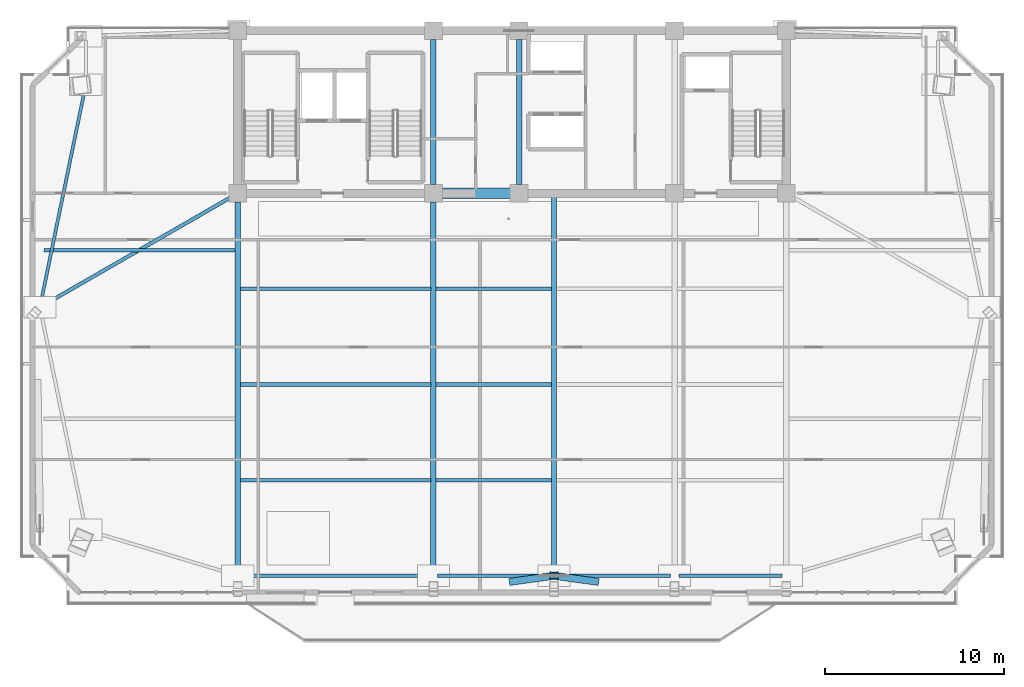
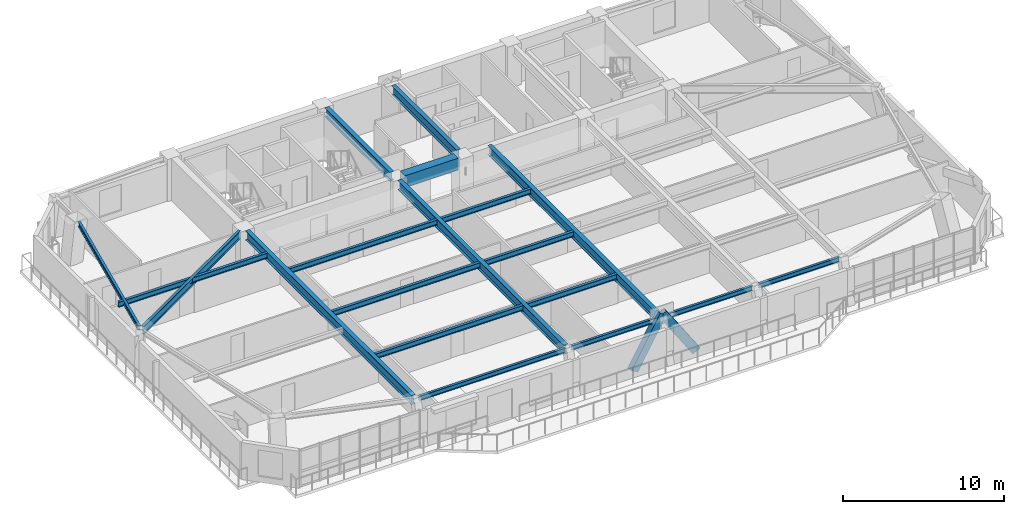
# One storey, part 3 of 16: 19 beams, 2 members.
"""IFC4 building model written with IfcOpenShell, lengths in metres."""

import ifcopenshell
import ifcopenshell.guid

model = None  # the IFC model being written
_history = None  # IfcOwnerHistory: only IFC2X3 demands one
_inside = {}  # id of a spatial element -> (the spatial element, [elements in it])
_under = {}  # id of a project, library or spatial element -> (it, [spatial elements below it])
_declared = {}  # id of a project -> (the project, [libraries it declares])
_typed = {}  # id of a type object -> (the type object, [elements of that type])
_made_of = {}  # id of a material, layer set ... -> (it, [elements and type objects made of it])


def new_model(schema):
    """Start an empty IFC model of exactly this schema.

    Asked for "IFC4X3", IfcOpenShell would pick the latest addendum, in which some entities
    have other attributes; the version numbers below select the first issue.
    IFC2X3 requires an IfcOwnerHistory on every rooted entity: one is made here for all.
    """
    global model, _history
    if schema == "IFC4X3":
        model = ifcopenshell.file(schema_version=(4, 3, 0, 0))
    else:
        model = ifcopenshell.file(schema=schema)
    _inside.clear()
    _under.clear()
    _declared.clear()
    _typed.clear()
    _made_of.clear()
    _history = None
    if model.schema == "IFC2X3":
        org = make("IfcOrganization", Name="unknown")
        user = make(
            "IfcPersonAndOrganization",
            ThePerson=make("IfcPerson", FamilyName="unknown"),
            TheOrganization=org,
        )
        app = make(
            "IfcApplication",
            ApplicationDeveloper=org,
            Version="unknown",
            ApplicationFullName="unknown",
            ApplicationIdentifier="unknown",
        )
        _history = make(
            "IfcOwnerHistory",
            OwningUser=user,
            OwningApplication=app,
            ChangeAction="ADDED",
            CreationDate=0,
        )
    return model


def make(cls, **values):
    """One entity of the class cls with the attributes given. An attribute that is None is left unset."""
    return model.create_entity(
        cls, **{name: value for name, value in values.items() if value is not None}
    )


def rooted(cls, **values):
    """An entity with a GlobalId (a new one), such as an element, a storey or a relation."""
    return make(cls, GlobalId=ifcopenshell.guid.new(), OwnerHistory=_history, **values)


def si_unit(unit_type, name, prefix=None):
    """IfcSIUnit, for example si_unit("LENGTHUNIT", "METRE", prefix="MILLI")."""
    return make("IfcSIUnit", UnitType=unit_type, Prefix=prefix, Name=name)


def assignment(units):
    """IfcUnitAssignment: the units of a project."""
    return None if units is None else make("IfcUnitAssignment", Units=units)


def point(xyz):
    """IfcCartesianPoint."""
    return None if xyz is None else make("IfcCartesianPoint", Coordinates=xyz)


def direction(xyz):
    """IfcDirection."""
    return None if xyz is None else make("IfcDirection", DirectionRatios=xyz)


def frame(location, z_axis=None, x_axis=None):
    """IfcAxis2Placement3D, a coordinate frame: its origin and axes. An axis left out is left unset."""
    return make(
        "IfcAxis2Placement3D",
        Location=point(location),
        Axis=direction(z_axis),
        RefDirection=direction(x_axis),
    )


def frame_2d(location, x_axis=None):
    """IfcAxis2Placement2D, a coordinate frame in the plane: its origin and x axis."""
    return make(
        "IfcAxis2Placement2D", Location=point(location), RefDirection=direction(x_axis)
    )


def origin():
    """The frame at (0, 0, 0) with its axes left unset."""
    return frame((0.0, 0.0, 0.0))


def origin_2d():
    """The frame at (0, 0) in the plane with its x axis left unset."""
    return frame_2d((0.0, 0.0))


def place(relative_to, where):
    """IfcLocalPlacement: puts the frame where relative to a parent placement (None: the world)."""
    return make(
        "IfcLocalPlacement", PlacementRelTo=relative_to, RelativePlacement=where
    )


def context(
    kind, dimensions, precision=None, world=None, true_north=None, identifier=None
):
    """IfcGeometricRepresentationContext, for example the 3D "Model" context."""
    return make(
        "IfcGeometricRepresentationContext",
        ContextIdentifier=identifier,
        ContextType=kind,
        CoordinateSpaceDimension=dimensions,
        Precision=precision,
        WorldCoordinateSystem=world,
        TrueNorth=true_north,
    )


def subcontext(parent, identifier, kind, view, scale=None):
    """IfcGeometricRepresentationSubContext, for example "Body" below "Model"."""
    return make(
        "IfcGeometricRepresentationSubContext",
        ContextIdentifier=identifier,
        ContextType=kind,
        ParentContext=parent,
        TargetScale=scale,
        TargetView=view,
    )


def project(units=None, contexts=None):
    """IfcProject with its units and contexts."""
    return rooted(
        "IfcProject",
        Name="project",
        RepresentationContexts=contexts,
        UnitsInContext=assignment(units),
    )


def spatial(cls, under=None, at=None, **own):
    """A site, building, storey or space (cls), placed at a placement, below another one or the project."""
    s = rooted(cls, ObjectPlacement=at, **own)
    if under is not None:
        _under.setdefault(under.id(), (under, []))[1].append(s)
    return s


def profile(cls, at=None, kind="AREA", **sizes):
    """A parametric profile (cls). Its sizes go by their IFC names, for example OverallWidth=200.0."""
    return make(cls, ProfileType=kind, Position=at, **sizes)


def rectangle(**sizes):
    """IfcRectangleProfileDef."""
    return profile("IfcRectangleProfileDef", **sizes)


def hollow_rectangle(**sizes):
    """IfcRectangleHollowProfileDef."""
    return profile("IfcRectangleHollowProfileDef", **sizes)


def i_section(**sizes):
    """IfcIShapeProfileDef."""
    return profile("IfcIShapeProfileDef", **sizes)


def extrude(swept, where, along, depth):
    """IfcExtrudedAreaSolid: the profile swept, set in the frame where, extruded along a direction by depth."""
    return make(
        "IfcExtrudedAreaSolid",
        SweptArea=swept,
        Position=where,
        ExtrudedDirection=direction(along),
        Depth=depth,
    )


def shape(context_of_items, identifier, shape_type, items):
    """IfcShapeRepresentation: the items that make up one representation, for example the "Body"."""
    return make(
        "IfcShapeRepresentation",
        ContextOfItems=context_of_items,
        RepresentationIdentifier=identifier,
        RepresentationType=shape_type,
        Items=items,
    )


def source(mapping_origin, context_of_items, identifier, shape_type, items):
    """IfcRepresentationMap: a shape defined once, which mapped items show again and again."""
    return make(
        "IfcRepresentationMap",
        MappingOrigin=mapping_origin,
        MappedRepresentation=shape(context_of_items, identifier, shape_type, items),
    )


def transform(
    local_origin,
    x_axis=None,
    y_axis=None,
    z_axis=None,
    scale=None,
    scale2=None,
    scale3=None,
    uniform=True,
):
    """IfcCartesianTransformationOperator3D, or its non-uniform kind. x_axis, y_axis, z_axis: its Axis1, 2, 3."""
    if uniform:
        return make(
            "IfcCartesianTransformationOperator3D",
            Axis1=direction(x_axis),
            Axis2=direction(y_axis),
            LocalOrigin=point(local_origin),
            Scale=scale,
            Axis3=direction(z_axis),
        )
    return make(
        "IfcCartesianTransformationOperator3DnonUniform",
        Axis1=direction(x_axis),
        Axis2=direction(y_axis),
        LocalOrigin=point(local_origin),
        Scale=scale,
        Axis3=direction(z_axis),
        Scale2=scale2,
        Scale3=scale3,
    )


def mapped(mapping_source, mapping_target):
    """IfcMappedItem: shows the shape of a source again, moved by a transform."""
    return make(
        "IfcMappedItem", MappingSource=mapping_source, MappingTarget=mapping_target
    )


def material(Name=None, Category=None):
    """IfcMaterial."""
    return make("IfcMaterial", Name=Name, Category=Category)


def material_profile(
    of_material, cross_section, Name=None, Category=None, Priority=None
):
    """IfcMaterialProfile: a cross section and its material."""
    return make(
        "IfcMaterialProfile",
        Name=Name,
        Material=of_material,
        Profile=cross_section,
        Priority=Priority,
        Category=Category,
    )


def profile_set(profiles, Name=None, composite=None):
    """IfcMaterialProfileSet."""
    return make(
        "IfcMaterialProfileSet",
        Name=Name,
        MaterialProfiles=profiles,
        CompositeProfile=composite,
    )


def made_of(thing, what):
    """Note that an element or type object is made of a material, layer set ...; save() writes the relation."""
    if what is not None:
        _made_of.setdefault(what.id(), (what, []))[1].append(thing)
    return thing


def type_object(cls, material=None, **own):
    """A type object (cls), such as IfcWallType, which elements share."""
    return made_of(rooted(cls, **own), material)


def element(
    cls,
    number,
    at=None,
    inside=None,
    cuts=None,
    type_object=None,
    material=None,
    context=None,
    identifier="Body",
    shape_type=None,
    held_by="IfcProductDefinitionShape",
    body=None,
    shapes=None,
    **own,
):
    """One element of the class cls, such as IfcWall. Its Tag is "e" and its number.

    at: its placement. inside: the storey or other place that contains it. cuts: it is an
    opening in that element (IfcRelVoidsElement). A single representation is given by context,
    identifier, shape_type and body (its items); several are given by shapes. held_by: the class
    of the entity that holds the representations. save() writes the other relations.
    """
    e = rooted(cls, Tag="e%d" % number, ObjectPlacement=at, **own)
    if body is not None:
        shapes = [shape(context, identifier, shape_type, body)]
    if shapes is not None:
        e.Representation = make(held_by, Representations=shapes)
    if inside is not None:
        _inside.setdefault(inside.id(), (inside, []))[1].append(e)
    if cuts is not None:
        rooted(
            "IfcRelVoidsElement", RelatingBuildingElement=cuts, RelatedOpeningElement=e
        )
    if type_object is not None:
        _typed.setdefault(type_object.id(), (type_object, []))[1].append(e)
    return made_of(e, material)


def aggregate(whole, parts):
    """IfcRelAggregates: a whole, such as a stair, and the parts it consists of."""
    return rooted("IfcRelAggregates", RelatingObject=whole, RelatedObjects=parts)


def save(model, path):
    """Write the relations noted so far, then the file.

    IfcRelAggregates (storeys below a building ...), IfcRelContainedInSpatialStructure (elements
    in a storey), IfcRelDefinesByType, IfcRelAssociatesMaterial and IfcRelDeclares: one each for
    every whole, place, type object, material and project.
    """
    for whole, parts in _under.values():
        aggregate(whole, parts)
    for where, things in _inside.values():
        rooted(
            "IfcRelContainedInSpatialStructure",
            RelatedElements=things,
            RelatingStructure=where,
        )
    for kind, things in _typed.values():
        rooted("IfcRelDefinesByType", RelatedObjects=things, RelatingType=kind)
    for what, things in _made_of.values():
        rooted("IfcRelAssociatesMaterial", RelatedObjects=things, RelatingMaterial=what)
    for by, libraries in _declared.values():
        rooted("IfcRelDeclares", RelatingContext=by, RelatedDefinitions=libraries)
    model.write(path)


model = new_model("IFC4")

# Units and contexts
model_context = context("Model", 3, precision=1e-05, world=origin(), true_north=direction((0.0, 1.0)))
body_context = subcontext(model_context, "Body", "Model", "MODEL_VIEW")
ifc_project = project(units=[si_unit("LENGTHUNIT", "METRE"), si_unit("AREAUNIT", "SQUARE_METRE"), si_unit("VOLUMEUNIT", "CUBIC_METRE"), si_unit("PLANEANGLEUNIT", "RADIAN"), si_unit("MASSUNIT", "GRAM", prefix="KILO")], contexts=[model_context])

# Site, building, storey
site_placement = place(None, origin())
site = spatial("IfcSite", under=ifc_project, at=site_placement, CompositionType="ELEMENT")
building_placement = place(site_placement, origin())
building = spatial("IfcBuilding", under=site, at=building_placement, Name="Giltprow Tower", CompositionType="ELEMENT")
storey_placement = place(building_placement, frame((0.0, 0.0, 255.300048828125)))
storey = spatial("IfcBuildingStorey", under=building, at=storey_placement, Name="L65", CompositionType="ELEMENT", Elevation=255.300048828125)

# Beams
ifc_material_1 = material(Name="Concrete C50", Category="concrete")
ifc_material_profile_1 = material_profile(ifc_material_1, rectangle(XDim=0.60009765625, YDim=0.89990234375, at=origin_2d()), Name="RC 900x600")
ifc_profile_set_1 = profile_set([ifc_material_profile_1], Name="Concrete C50")
beam_type_1 = type_object("IfcBeamType", Name="BM-CPL-RC900", PredefinedType="LINTEL", material=ifc_profile_set_1)
shared_shape_1 = source(origin(), body_context, "Body", "SweptSolid", [
    extrude(rectangle(XDim=0.60009765625, YDim=0.89990234375, at=origin_2d()), origin(), (0.0, 0.0, 1.0), 3.830078125),
])
beam_1_placement = place(storey_placement, frame((31.284912109375, 37.449951171875, 2.73486328125), z_axis=(1.0, 0.0, 0.0), x_axis=(0.0, 1.0, 0.0)))
element("IfcBeam", 1, at=beam_1_placement, inside=storey, type_object=beam_type_1, Name="L65 Core Coupling Beam CB-1", PredefinedType="LINTEL", context=body_context, shape_type="MappedRepresentation", body=[
    mapped(shared_shape_1, transform((0.0, 0.0, 0.0), x_axis=(1.0, 0.0, 0.0), y_axis=(0.0, 1.0, 0.0), z_axis=(0.0, 0.0, 1.0), scale=1.0)),
])
ifc_material_2 = material(Name="Structural steel Q355B", Category="steel")
ifc_material_profile_2 = material_profile(ifc_material_2, i_section(OverallWidth=0.300048828125, OverallDepth=0.699951171875, WebThickness=0.012939453125, FlangeThickness=0.02392578125, at=origin_2d()), Name="HN 700x300x13x24")
ifc_profile_set_2 = profile_set([ifc_material_profile_2], Name="Structural steel Q355B")
beam_type_2 = type_object("IfcBeamType", Name="BM-GIRD-HN700", PredefinedType="BEAM", material=ifc_profile_set_2)
shared_shape_2 = source(origin(), body_context, "Body", "SweptSolid", [
    extrude(i_section(OverallWidth=0.300048828125, OverallDepth=0.699951171875, WebThickness=0.012939453125, FlangeThickness=0.02392578125, at=origin_2d()), origin(), (0.0, 0.0, 1.0), 8.1298828125),
])
for number, where, z_axis, x_axis, name in (
    (2, (30.800048828125, 37.93505859375, 2.8349609375), (0.0, 1.0, 0.0), (-1.0, 0.0, 0.0), "L65 Core Tie Girder M1"),
    (3, (35.60009765625, 37.93505859375, 2.8349609375), (0.0, 1.0, 0.0), (-1.0, 0.0, 0.0), "L65 Core Tie Girder M2"),
):
    element("IfcBeam", number, at=place(storey_placement, frame(where, z_axis=z_axis, x_axis=x_axis)), inside=storey, type_object=beam_type_2, Name=name, PredefinedType="BEAM", context=body_context, shape_type="MappedRepresentation", body=[
        mapped(shared_shape_2, transform((0.0, 0.0, 0.0), x_axis=(1.0, 0.0, 0.0), y_axis=(0.0, 1.0, 0.0), z_axis=(0.0, 0.0, 1.0), scale=1.0)),
    ])
ifc_material_profile_3 = material_profile(ifc_material_2, i_section(OverallWidth=0.199951171875, OverallDepth=0.39990234375, WebThickness=0.008056640625, FlangeThickness=0.012939453125, at=origin_2d()), Name="HN 400x200x8x13")
ifc_profile_set_3 = profile_set([ifc_material_profile_3], Name="Structural steel Q355B")
beam_type_3 = type_object("IfcBeamType", Name="BM-JOIST-HN400", PredefinedType="JOIST", material=ifc_profile_set_3)
shared_shape_3 = source(origin(), body_context, "Body", "SweptSolid", [
    extrude(i_section(OverallWidth=0.199951171875, OverallDepth=0.39990234375, WebThickness=0.008056640625, FlangeThickness=0.012939453125, at=origin_2d()), origin(), (0.0, 0.0, 1.0), 10.659912109375),
])
for number, where, z_axis, x_axis, name in (
    (4, (19.9951171875, 21.39599609375, 2.98486328125), (1.0, 0.0, 0.0), (0.0, 1.0, 0.0), "L65 Composite Floor Joist 1-1"),
    (5, (19.9951171875, 26.748046875, 2.98486328125), (1.0, 0.0, 0.0), (0.0, 1.0, 0.0), "L65 Composite Floor Joist 2-1"),
    (6, (19.9951171875, 32.09912109375, 2.98486328125), (1.0, 0.0, 0.0), (0.0, 1.0, 0.0), "L65 Composite Floor Joist 3-1"),
):
    element("IfcBeam", number, at=place(storey_placement, frame(where, z_axis=z_axis, x_axis=x_axis)), inside=storey, type_object=beam_type_3, Name=name, PredefinedType="JOIST", context=body_context, shape_type="MappedRepresentation", body=[
        mapped(shared_shape_3, transform((0.0, 0.0, 0.0), x_axis=(1.0, 0.0, 0.0), y_axis=(0.0, 1.0, 0.0), z_axis=(0.0, 0.0, 1.0), scale=1.0)),
    ])
shared_shape_4 = source(origin(), body_context, "Body", "SweptSolid", [
    extrude(i_section(OverallWidth=0.199951171875, OverallDepth=0.39990234375, WebThickness=0.008056640625, FlangeThickness=0.012939453125, at=origin_2d()), origin(), (0.0, 0.0, 1.0), 6.4599609375),
])
for number, where, z_axis, x_axis, name in (
    (7, (30.945068359375, 21.39599609375, 2.98486328125), (1.0, 0.0, 0.0), (0.0, 1.0, 0.0), "L65 Composite Floor Joist 1-2"),
    (8, (30.945068359375, 26.748046875, 2.98486328125), (1.0, 0.0, 0.0), (0.0, 1.0, 0.0), "L65 Composite Floor Joist 2-2"),
    (9, (30.945068359375, 32.09912109375, 2.98486328125), (1.0, 0.0, 0.0), (0.0, 1.0, 0.0), "L65 Composite Floor Joist 3-2"),
):
    element("IfcBeam", number, at=place(storey_placement, frame(where, z_axis=z_axis, x_axis=x_axis)), inside=storey, type_object=beam_type_3, Name=name, PredefinedType="JOIST", context=body_context, shape_type="MappedRepresentation", body=[
        mapped(shared_shape_4, transform((0.0, 0.0, 0.0), x_axis=(1.0, 0.0, 0.0), y_axis=(0.0, 1.0, 0.0), z_axis=(0.0, 0.0, 1.0), scale=1.0)),
    ])
ifc_material_profile_4 = material_profile(ifc_material_2, i_section(OverallWidth=0.175048828125, OverallDepth=0.35009765625, WebThickness=0.007080078125, FlangeThickness=0.010986328125, at=origin_2d()), Name="HN 350x175x7x11")
ifc_profile_set_4 = profile_set([ifc_material_profile_4], Name="Structural steel Q355B")
beam_type_4 = type_object("IfcBeamType", Name="BM-SPAN-HN350", PredefinedType="SPANDREL", material=ifc_profile_set_4)
shared_shape_5 = source(origin(), body_context, "Body", "SweptSolid", [
    extrude(i_section(OverallWidth=0.175048828125, OverallDepth=0.35009765625, WebThickness=0.007080078125, FlangeThickness=0.010986328125, at=origin_2d()), origin(), (0.0, 0.0, 1.0), 10.47998046875),
])
beam_2_placement = place(storey_placement, frame((20.0849609375, 16.044921875, 3.010009765625), z_axis=(1.0, 0.0, 0.0), x_axis=(0.0, 1.0, 0.0)))
element("IfcBeam", 10, at=beam_2_placement, inside=storey, type_object=beam_type_4, Name="L65 Perimeter Spandrel Beam S1-S2", PredefinedType="SPANDREL", context=body_context, shape_type="MappedRepresentation", body=[
    mapped(shared_shape_5, transform((0.0, 0.0, 0.0), x_axis=(1.0, 0.0, 0.0), y_axis=(0.0, 1.0, 0.0), z_axis=(0.0, 0.0, 1.0), scale=1.0)),
])
shared_shape_6 = source(origin(), body_context, "Body", "SweptSolid", [
    extrude(i_section(OverallWidth=0.175048828125, OverallDepth=0.35009765625, WebThickness=0.007080078125, FlangeThickness=0.010986328125, at=origin_2d()), origin(), (0.0, 0.0, 1.0), 6.280029296875),
])
for number, where, z_axis, x_axis, name in (
    (11, (31.034912109375, 16.044921875, 3.010009765625), (1.0, 0.0, 0.0), (0.0, 1.0, 0.0), "L65 Perimeter Spandrel Beam S2-S_MID"),
    (12, (37.784912109375, 16.044921875, 3.010009765625), (1.0, 0.0, 0.0), (0.0, 1.0, 0.0), "L65 Perimeter Spandrel Beam S_MID-S3"),
):
    element("IfcBeam", number, at=place(storey_placement, frame(where, z_axis=z_axis, x_axis=x_axis)), inside=storey, type_object=beam_type_4, Name=name, PredefinedType="SPANDREL", context=body_context, shape_type="MappedRepresentation", body=[
        mapped(shared_shape_6, transform((0.0, 0.0, 0.0), x_axis=(1.0, 0.0, 0.0), y_axis=(0.0, 1.0, 0.0), z_axis=(0.0, 0.0, 1.0), scale=1.0)),
    ])
shared_shape_7 = source(origin(), body_context, "Body", "SweptSolid", [
    extrude(i_section(OverallWidth=0.175048828125, OverallDepth=0.35009765625, WebThickness=0.007080078125, FlangeThickness=0.010986328125, at=origin_2d()), origin(), (0.0, 0.0, 1.0), 5.780029296875),
])
beam_3_placement = place(storey_placement, frame((44.534912109375, 16.044921875, 3.010009765625), z_axis=(1.0, 0.0, 0.0), x_axis=(0.0, 1.0, 0.0)))
element("IfcBeam", 13, at=beam_3_placement, inside=storey, type_object=beam_type_4, Name="L65 Perimeter Spandrel Beam S3-S4", PredefinedType="SPANDREL", context=body_context, shape_type="MappedRepresentation", body=[
    mapped(shared_shape_7, transform((0.0, 0.0, 0.0), x_axis=(1.0, 0.0, 0.0), y_axis=(0.0, 1.0, 0.0), z_axis=(0.0, 0.0, 1.0), scale=1.0)),
])
shared_shape_8 = source(origin(), body_context, "Body", "SweptSolid", [
    extrude(i_section(OverallWidth=0.175048828125, OverallDepth=0.35009765625, WebThickness=0.007080078125, FlangeThickness=0.010986328125, at=origin_2d()), origin(), (0.0, 0.0, 1.0), 12.000244140625),
])
beam_4_placement = place(storey_placement, frame((11.25, 43.054931640625, 3.010009765625), z_axis=(-0.202000773979, -0.979385362006, 0.0), x_axis=(0.979385362006, -0.202000773979, 0.0)))
element("IfcBeam", 14, at=beam_4_placement, inside=storey, type_object=beam_type_4, Name="L65 Perimeter Spandrel Beam MC_NW-W_MID", PredefinedType="SPANDREL", context=body_context, shape_type="MappedRepresentation", body=[
    mapped(shared_shape_8, transform((0.0, 0.0, 0.0), x_axis=(1.0, 0.0, 0.0), y_axis=(0.0, 1.0, 0.0), z_axis=(0.0, 0.0, 1.0), scale=1.0)),
])
shared_shape_9 = source(origin(), body_context, "Body", "SweptSolid", [
    extrude(i_section(OverallWidth=0.300048828125, OverallDepth=0.699951171875, WebThickness=0.012939453125, FlangeThickness=0.02392578125, at=origin_2d()), origin(), (0.0, 0.0, 1.0), 20.68505859375),
])
for number, where, z_axis, x_axis, name in (
    (15, (19.85009765625, 16.280029296875, 2.8349609375), (0.0, 1.0, 0.0), (-1.0, 0.0, 0.0), "L65 Primary Lease Girder S1"),
    (16, (30.800048828125, 16.280029296875, 2.8349609375), (0.0, 1.0, 0.0), (-1.0, 0.0, 0.0), "L65 Primary Lease Girder S2"),
):
    element("IfcBeam", number, at=place(storey_placement, frame(where, z_axis=z_axis, x_axis=x_axis)), inside=storey, type_object=beam_type_2, Name=name, PredefinedType="BEAM", context=body_context, shape_type="MappedRepresentation", body=[
        mapped(shared_shape_9, transform((0.0, 0.0, 0.0), x_axis=(1.0, 0.0, 0.0), y_axis=(0.0, 1.0, 0.0), z_axis=(0.0, 0.0, 1.0), scale=1.0)),
    ])
shared_shape_10 = source(origin(), body_context, "Body", "SweptSolid", [
    extrude(i_section(OverallWidth=0.300048828125, OverallDepth=0.699951171875, WebThickness=0.012939453125, FlangeThickness=0.02392578125, at=origin_2d()), origin(), (0.0, 0.0, 1.0), 21.405029296875),
])
beam_5_placement = place(storey_placement, frame((37.550048828125, 16.044921875, 2.8349609375), z_axis=(0.0, 1.0, 0.0), x_axis=(-1.0, 0.0, 0.0)))
element("IfcBeam", 17, at=beam_5_placement, inside=storey, type_object=beam_type_2, Name="L65 Central Lease Girder SMID", PredefinedType="BEAM", context=body_context, shape_type="MappedRepresentation", body=[
    mapped(shared_shape_10, transform((0.0, 0.0, 0.0), x_axis=(1.0, 0.0, 0.0), y_axis=(0.0, 1.0, 0.0), z_axis=(0.0, 0.0, 1.0), scale=1.0)),
])
ifc_material_profile_5 = material_profile(ifc_material_2, i_section(OverallWidth=0.199951171875, OverallDepth=0.60009765625, WebThickness=0.010986328125, FlangeThickness=0.01708984375, at=origin_2d()), Name="HN 600x200x11x17")
ifc_profile_set_5 = profile_set([ifc_material_profile_5], Name="Structural steel Q355B")
beam_type_5 = type_object("IfcBeamType", Name="BM-GIRD-HN600", PredefinedType="BEAM", material=ifc_profile_set_5)
shared_shape_11 = source(origin(), body_context, "Body", "SweptSolid", [
    extrude(i_section(OverallWidth=0.199951171875, OverallDepth=0.60009765625, WebThickness=0.010986328125, FlangeThickness=0.01708984375, at=origin_2d()), origin(), (0.0, 0.0, 1.0), 12.056884765625),
])
beam_6_placement = place(storey_placement, frame((8.98291015625, 31.18896484375, 2.885009765625), z_axis=(0.866475690836, 0.499219267647, 0.0), x_axis=(-0.499219267647, 0.866475690836, 0.0)))
element("IfcBeam", 18, at=beam_6_placement, inside=storey, type_object=beam_type_5, Name="L65 West Wing Primary Girder", PredefinedType="BEAM", context=body_context, shape_type="MappedRepresentation", body=[
    mapped(shared_shape_11, transform((0.0, 0.0, 0.0), x_axis=(1.0, 0.0, 0.0), y_axis=(0.0, 1.0, 0.0), z_axis=(0.0, 0.0, 1.0), scale=1.0)),
])
shared_shape_12 = source(origin(), body_context, "Body", "SweptSolid", [
    extrude(i_section(OverallWidth=0.199951171875, OverallDepth=0.39990234375, WebThickness=0.008056640625, FlangeThickness=0.012939453125, at=origin_2d()), origin(), (0.0, 0.0, 1.0), 10.7060546875),
])
beam_7_placement = place(storey_placement, frame((8.9990234375, 34.260986328125, 2.98486328125), z_axis=(1.0, 0.0, 0.0), x_axis=(0.0, 1.0, 0.0)))
element("IfcBeam", 19, at=beam_7_placement, inside=storey, type_object=beam_type_3, Name="L65 West Wing Floor Joist 2", PredefinedType="JOIST", context=body_context, shape_type="MappedRepresentation", body=[
    mapped(shared_shape_12, transform((0.0, 0.0, 0.0), x_axis=(1.0, 0.0, 0.0), y_axis=(0.0, 1.0, 0.0), z_axis=(0.0, 0.0, 1.0), scale=1.0)),
])

# Members
ifc_material_3 = material(Name="Structural steel Q420GJC", Category="steel")
ifc_material_profile_6 = material_profile(ifc_material_3, hollow_rectangle(XDim=0.39990234375, YDim=0.60009765625, WallThickness=0.028076171875, at=origin_2d()), Name="RHS 600x400x28")
ifc_profile_set_6 = profile_set([ifc_material_profile_6], Name="Structural steel Q420GJC")
member_type = type_object("IfcMemberType", Name="MBR-MEGA-RHS600", PredefinedType="BRACE", material=ifc_profile_set_6)
shared_shape_13 = source(origin(), body_context, "Body", "SweptSolid", [
    extrude(hollow_rectangle(XDim=0.39990234375, YDim=0.60009765625, WallThickness=0.028076171875, at=origin_2d()), origin(), (0.0, 0.0, 1.0), 4.0888671875),
])
for number, where, z_axis, x_axis, name in (
    (20, (35.300048828125, 15.73388671875, 0.0), (0.550278873645, 0.076069366865, 0.831508636543), (-0.136935639325, 0.990579946639, 0.0), "L65 Chevron Mega-Brace S-L"),
    (21, (39.800048828125, 15.73388671875, 0.0), (-0.550278873645, 0.076069366865, 0.831508636543), (-0.136935639325, -0.990579946639, 0.0), "L65 Chevron Mega-Brace S-R"),
):
    element("IfcMember", number, at=place(storey_placement, frame(where, z_axis=z_axis, x_axis=x_axis)), inside=storey, type_object=member_type, Name=name, PredefinedType="BRACE", context=body_context, shape_type="MappedRepresentation", body=[
        mapped(shared_shape_13, transform((0.0, 0.0, 0.0), x_axis=(1.0, 0.0, 0.0), y_axis=(0.0, 1.0, 0.0), z_axis=(0.0, 0.0, 1.0), scale=1.0)),
    ])

save(model, "model.ifc")
